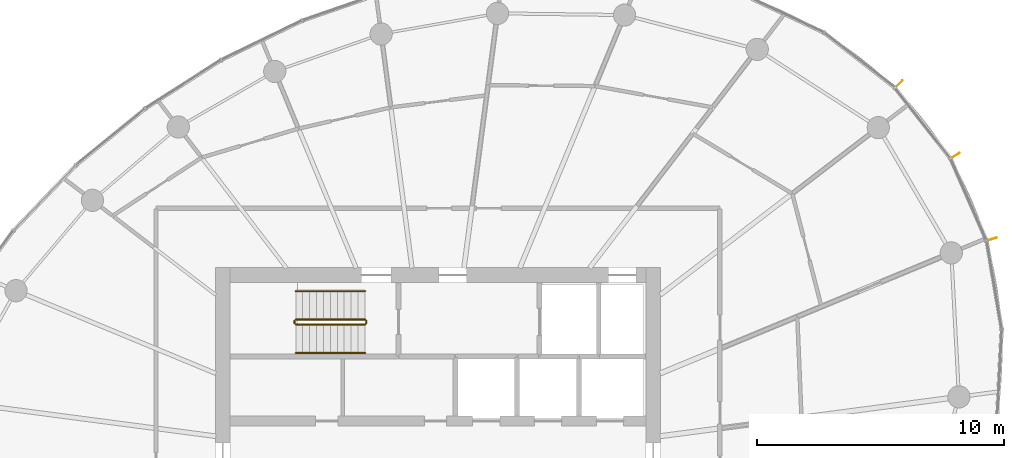
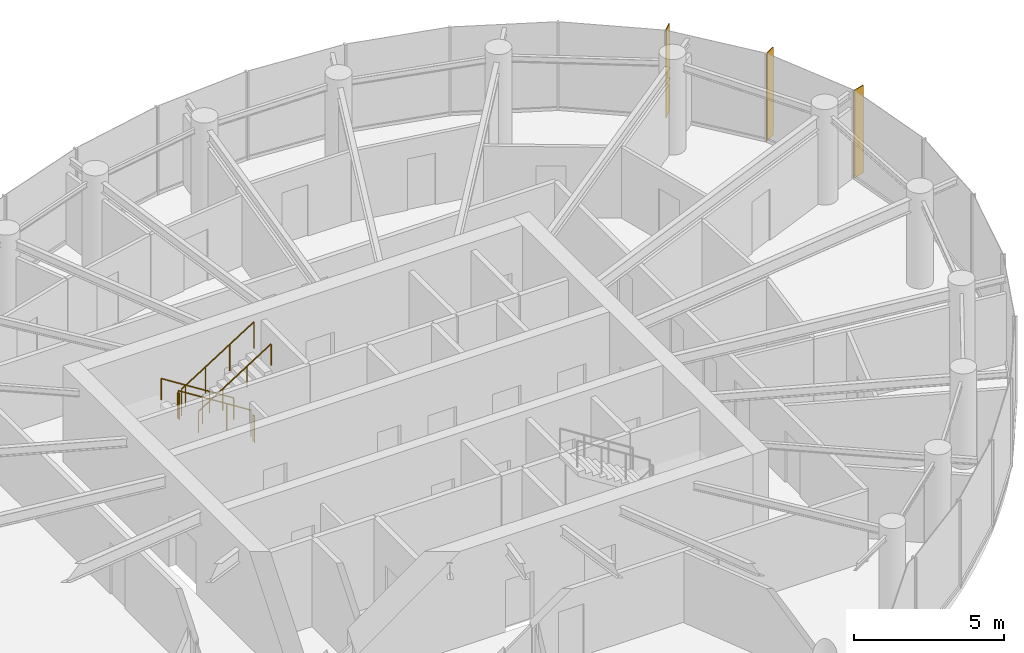
# One storey, part 14 of 14: 6 railings, 3 shading devices.
"""IFC4 building model written with IfcOpenShell, lengths in metres."""

from ifc_helpers import new_model, si_unit, direction, frame, origin, origin_2d, place, context, subcontext, project, spatial, rectangle, circle, extrude, source, transform, mapped, material, material_profile, profile_set, type_object, element, save


model = new_model("IFC4")

# Units and contexts
model_context = context("Model", 3, precision=1e-05, world=origin(), true_north=direction((0.0, 1.0)))
body_context = subcontext(model_context, "Body", "Model", "MODEL_VIEW")
ifc_project = project(units=[si_unit("LENGTHUNIT", "METRE"), si_unit("AREAUNIT", "SQUARE_METRE"), si_unit("VOLUMEUNIT", "CUBIC_METRE"), si_unit("PLANEANGLEUNIT", "RADIAN"), si_unit("MASSUNIT", "GRAM", prefix="KILO")], contexts=[model_context])

# Site, building, storey
site_placement = place(None, origin())
site = spatial("IfcSite", under=ifc_project, at=site_placement, CompositionType="ELEMENT")
building_placement = place(site_placement, origin())
building = spatial("IfcBuilding", under=site, at=building_placement, Name="Spindrift Exchange Tower", CompositionType="ELEMENT")
storey_placement = place(building_placement, frame((0.0, 0.0, 211.10009765625)))
storey = spatial("IfcBuildingStorey", under=building, at=storey_placement, Name="L51", CompositionType="ELEMENT", Elevation=211.10009765625)

# Railings
ifc_material_1 = material(Name="Steel balustrade", Category="steel")
railing_type_1 = type_object("IfcRailingType", Name="RL-STAIR-GUARD", PredefinedType="GUARDRAIL", material=ifc_material_1)
railing_1_placement = place(storey_placement, frame((49.050048828125, 53.89990234375, 0.17724609375)))
element("IfcRailing", 1, at=railing_1_placement, inside=storey, type_object=railing_type_1, Name="L51 ST1 stair guard 1", PredefinedType="GUARDRAIL", context=body_context, shape_type="SweptSolid", body=[
    extrude(circle(Radius=0.02392578125, at=origin_2d()), frame((0.0, 0.0, 1.076171875), z_axis=(-0.844908973607, 0.0, 0.534910110503), x_axis=(0.0, -1.0, 0.0)), (0.0, 0.0, 1.0), 3.31396484375),
    extrude(circle(Radius=0.02099609375, at=origin_2d()), origin(), (0.0, 0.0, 1.0), 1.052001953125),
    extrude(circle(Radius=0.02099609375, at=origin_2d()), frame((-0.933349609375, 0.0, 0.5908203125)), (0.0, 0.0, 1.0), 1.052001953125),
    extrude(circle(Radius=0.02099609375, at=origin_2d()), frame((-1.86669921875, 0.0, 1.181884765625)), (0.0, 0.0, 1.0), 1.052001953125),
    extrude(circle(Radius=0.02099609375, at=origin_2d()), frame((-2.800048828125, 0.0, 1.772705078125)), (0.0, 0.0, 1.0), 1.052001953125),
])
railing_2_placement = place(storey_placement, frame((46.199951171875, 53.85009765625, 1.949951171875)))
element("IfcRailing", 2, at=railing_2_placement, inside=storey, type_object=railing_type_1, Name="L51 ST1 stair guard 2", PredefinedType="GUARDRAIL", context=body_context, shape_type="SweptSolid", body=[
    extrude(circle(Radius=0.02392578125, at=origin_2d()), frame((0.0, 0.0, 1.076171875), z_axis=(0.0, -1.0, 0.0), x_axis=(1.0, 0.0, 0.0)), (0.0, 0.0, 1.0), 0.10009765625),
    extrude(circle(Radius=0.02099609375, at=origin_2d()), origin(), (0.0, 0.0, 1.0), 1.052001953125),
    extrude(circle(Radius=0.02099609375, at=origin_2d()), frame((0.0, -0.10009765625, 0.0)), (0.0, 0.0, 1.0), 1.052001953125),
])
railing_3_placement = place(storey_placement, frame((46.25, 53.699951171875, 2.127197265625)))
element("IfcRailing", 3, at=railing_3_placement, inside=storey, type_object=railing_type_1, Name="L51 ST1 stair guard 3", PredefinedType="GUARDRAIL", context=body_context, shape_type="SweptSolid", body=[
    extrude(circle(Radius=0.02392578125, at=origin_2d()), frame((0.0, 0.0, 1.076171875), z_axis=(0.844908973607, 0.0, 0.534910110503), x_axis=(0.0, 1.0, 0.0)), (0.0, 0.0, 1.0), 3.31396484375),
    extrude(circle(Radius=0.02099609375, at=origin_2d()), origin(), (0.0, 0.0, 1.0), 1.052001953125),
    extrude(circle(Radius=0.02099609375, at=origin_2d()), frame((0.933349609375, 0.0, 0.5908203125)), (0.0, 0.0, 1.0), 1.052001953125),
    extrude(circle(Radius=0.02099609375, at=origin_2d()), frame((1.86669921875, 0.0, 1.181884765625)), (0.0, 0.0, 1.0), 1.052001953125),
    extrude(circle(Radius=0.02099609375, at=origin_2d()), frame((2.800048828125, 0.0, 1.772705078125)), (0.0, 0.0, 1.0), 1.052001953125),
])
railing_4_placement = place(storey_placement, frame((49.10009765625, 53.85009765625, 0.0)))
element("IfcRailing", 4, at=railing_4_placement, inside=storey, type_object=railing_type_1, Name="L51 ST1 stair guard 4", PredefinedType="GUARDRAIL", context=body_context, shape_type="SweptSolid", body=[
    extrude(circle(Radius=0.02392578125, at=origin_2d()), frame((0.0, 0.0, 1.076171875), z_axis=(0.0, -1.0, 0.0), x_axis=(1.0, 0.0, 0.0)), (0.0, 0.0, 1.0), 0.10009765625),
    extrude(circle(Radius=0.02099609375, at=origin_2d()), origin(), (0.0, 0.0, 1.0), 1.052001953125),
    extrude(circle(Radius=0.02099609375, at=origin_2d()), frame((0.0, -0.10009765625, 0.0)), (0.0, 0.0, 1.0), 1.052001953125),
])
ifc_material_2 = material(Name="Steel tubular handrail", Category="steel")
railing_type_2 = type_object("IfcRailingType", Name="RL-STAIR-HAND", PredefinedType="HANDRAIL", material=ifc_material_2)
railing_5_placement = place(storey_placement, frame((49.050048828125, 55.050048828125, 0.17724609375)))
element("IfcRailing", 5, at=railing_5_placement, inside=storey, type_object=railing_type_2, Name="L51 ST1 stair handrail 1", PredefinedType="HANDRAIL", context=body_context, shape_type="SweptSolid", body=[
    extrude(circle(Radius=0.02392578125, at=origin_2d()), frame((0.0, 0.0, 0.8759765625), z_axis=(-0.844908973607, 0.0, 0.534910110503), x_axis=(0.0, -1.0, 0.0)), (0.0, 0.0, 1.0), 3.31396484375),
    extrude(circle(Radius=0.02099609375, at=origin_2d()), origin(), (0.0, 0.0, 1.0), 0.851806640625),
    extrude(circle(Radius=0.02099609375, at=origin_2d()), frame((-0.933349609375, 0.0, 0.5908203125)), (0.0, 0.0, 1.0), 0.851806640625),
    extrude(circle(Radius=0.02099609375, at=origin_2d()), frame((-1.86669921875, 0.0, 1.181884765625)), (0.0, 0.0, 1.0), 0.851806640625),
    extrude(circle(Radius=0.02099609375, at=origin_2d()), frame((-2.800048828125, 0.0, 1.772705078125)), (0.0, 0.0, 1.0), 0.851806640625),
])
railing_6_placement = place(storey_placement, frame((46.25, 52.550048828125, 2.127197265625)))
element("IfcRailing", 6, at=railing_6_placement, inside=storey, type_object=railing_type_2, Name="L51 ST1 stair handrail 2", PredefinedType="HANDRAIL", context=body_context, shape_type="SweptSolid", body=[
    extrude(circle(Radius=0.02392578125, at=origin_2d()), frame((0.0, 0.0, 0.8759765625), z_axis=(0.844908973607, 0.0, 0.534910110503), x_axis=(0.0, 1.0, 0.0)), (0.0, 0.0, 1.0), 3.31396484375),
    extrude(circle(Radius=0.02099609375, at=origin_2d()), origin(), (0.0, 0.0, 1.0), 0.851806640625),
    extrude(circle(Radius=0.02099609375, at=origin_2d()), frame((0.933349609375, 0.0, 0.5908203125)), (0.0, 0.0, 1.0), 0.851806640625),
    extrude(circle(Radius=0.02099609375, at=origin_2d()), frame((1.86669921875, 0.0, 1.181884765625)), (0.0, 0.0, 1.0), 0.851806640625),
    extrude(circle(Radius=0.02099609375, at=origin_2d()), frame((2.800048828125, 0.0, 1.772705078125)), (0.0, 0.0, 1.0), 0.851806640625),
])

# Shading devices
ifc_material_3 = material(Name="Bronze anodised aluminium", Category="aluminium")
ifc_material_profile = material_profile(ifc_material_3, rectangle(XDim=0.030029296875, YDim=0.449951171875, at=origin_2d()), Name="WIND FIN 30X450")
ifc_profile_set = profile_set([ifc_material_profile], Name="Bronze anodised aluminium")
shading_device_type = type_object("IfcShadingDeviceType", Name="WIND FIN 30X450", PredefinedType="USERDEFINED", material=ifc_profile_set)
shared_shape = source(origin(), body_context, "Body", "SweptSolid", [
    extrude(rectangle(XDim=0.030029296875, YDim=0.449951171875, at=origin_2d()), origin(), (0.0, 0.0, 1.0), 3.579833984375),
])
for number, where, z_axis, x_axis, name in (
    (7, (72.8935546875, 60.515869140625, 0.0), (0.0, 0.0, 1.0), (-0.513878173753, 0.857863172389, 0.0), "L51 wind fin 2"),
    (8, (70.61669921875, 63.41162109375, 0.0), (0.0, 0.0, 1.0), (-0.709242297911, 0.704964795471, 0.0), "L51 wind fin 3"),
    (9, (74.372314453125, 57.14208984375, 0.0), (0.0, 0.0, 1.0), (-0.286900764973, 0.957960307663, 0.0), "L51 wind fin 4"),
):
    element("IfcShadingDevice", number, at=place(storey_placement, frame(where, z_axis=z_axis, x_axis=x_axis)), inside=storey, type_object=shading_device_type, Name=name, ObjectType="FIN", PredefinedType="USERDEFINED", context=body_context, shape_type="MappedRepresentation", body=[
        mapped(shared_shape, transform((0.0, 0.0, 0.0), scale=1.0)),
    ])

save(model, "model.ifc")
